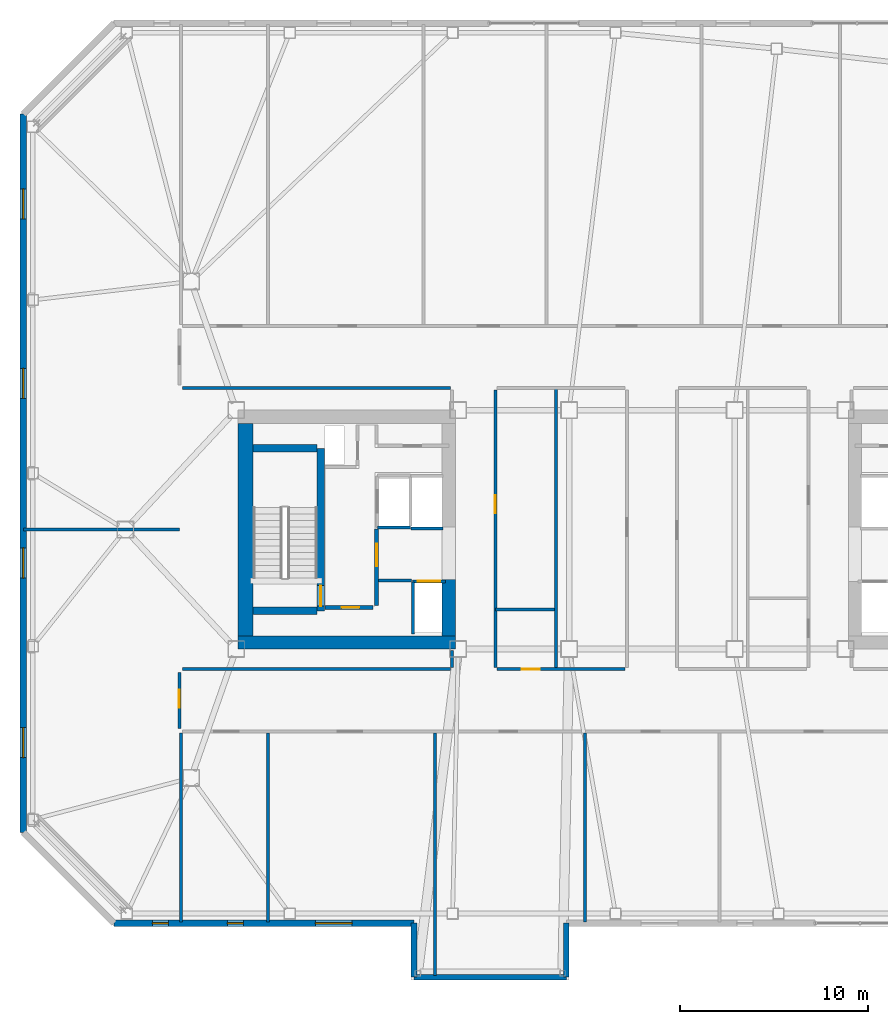
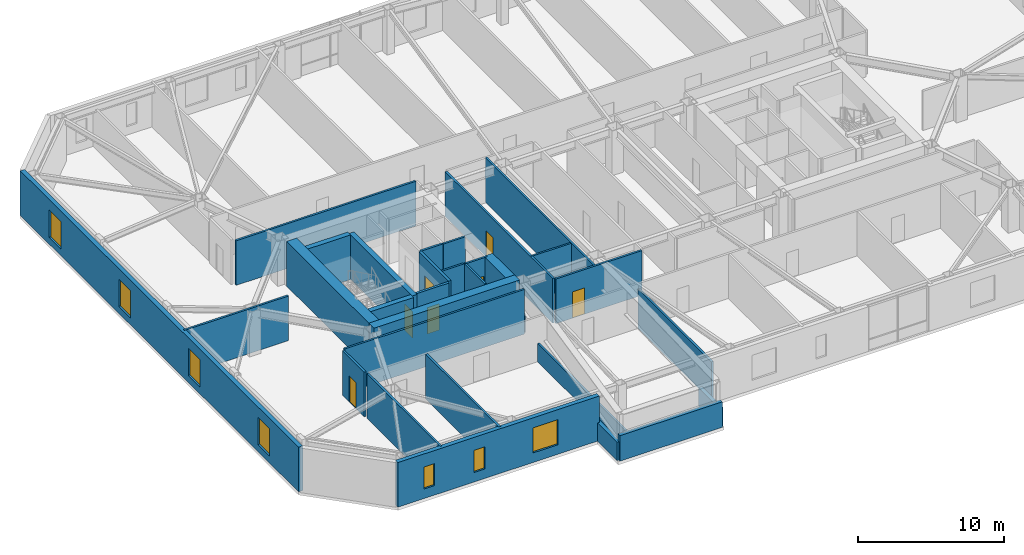
# One storey, part 9 of 17: 31 walls, 7 doors, 7 windows, 14 openings.
"""IFC4 building model written with IfcOpenShell, lengths in metres."""

from ifc_helpers import new_model, si_unit, direction, frame, frame_2d, origin, place, context, subcontext, project, spatial, rectangle, extrude, material, layer, layer_set, type_object, element, fill, save


model = new_model("IFC4")

# Units and contexts
model_context = context("Model", 3, precision=1e-05, world=origin(), true_north=direction((0.0, 1.0)))
body_context = subcontext(model_context, "Body", "Model", "MODEL_VIEW")
ifc_project = project(units=[si_unit("LENGTHUNIT", "METRE"), si_unit("AREAUNIT", "SQUARE_METRE"), si_unit("VOLUMEUNIT", "CUBIC_METRE"), si_unit("PLANEANGLEUNIT", "RADIAN"), si_unit("MASSUNIT", "GRAM", prefix="KILO")], contexts=[model_context])

# Site, building, storey
site_placement = place(None, origin())
site = spatial("IfcSite", under=ifc_project, at=site_placement, CompositionType="ELEMENT")
building_placement = place(site_placement, origin())
building = spatial("IfcBuilding", under=site, at=building_placement, Name="Tavrogorsk Clinical Tower", CompositionType="ELEMENT")
storey_placement = place(building_placement, frame((0.0, 0.0, 160.199951171875)))
storey = spatial("IfcBuildingStorey", under=building, at=storey_placement, Name="L36", CompositionType="ELEMENT", Elevation=160.199951171875)

# Wall, opening, door
ifc_material_1 = material(Name="Concrete B60", Category="concrete")
ifc_layer_1 = layer(ifc_material_1, 0.199951171875)
ifc_layer_set_1 = layer_set([ifc_layer_1], Name="Concrete B60")
wall_type_1 = type_object("IfcWallType", Name="CoreFireWall_200", PredefinedType="SOLIDWALL", material=ifc_layer_set_1)
wall_1_placement = place(storey_placement, frame((-17.3798828125, -4.139892578125, 0.0), z_axis=(0.0, 0.0, 1.0), x_axis=(1.0, 0.0, 0.0)))
wall_1 = element("IfcWall", 1, at=wall_1_placement, inside=storey, type_object=wall_type_1, Name="L36 Core West South Core Room Fire Wall", PredefinedType="SOLIDWALL", context=body_context, shape_type="SweptSolid", body=[
    extrude(rectangle(XDim=2.554931640625, YDim=0.199951171875, at=frame_2d((1.27734375, 0.0))), origin(), (0.0, 0.0, 1.0), 3.739990234375),
])
opening_1_placement = place(wall_1_placement, frame((0.8798828125, 0.0, 0.0)))
opening_1 = element("IfcOpeningElement", 2, at=opening_1_placement, cuts=wall_1, Name="Opening ID-02", PredefinedType="OPENING", context=body_context, shape_type="SweptSolid", body=[
    extrude(rectangle(XDim=0.949951171875, YDim=2.199951171875, at=frame_2d((0.47509765625, 1.10009765625))), frame((0.0, 0.10986328125, 0.0), z_axis=(0.0, -1.0, 0.0), x_axis=(1.0, 0.0, 0.0)), (0.0, 0.0, 1.0), 0.219970703125),
])
ifc_material_2 = material(Name="Laminated timber leaf on aluminium frame", Category="wood")
door_type_1 = type_object("IfcDoorType", Name="InteriorDoor_ID02_950", OperationType="NOTDEFINED", PredefinedType="DOOR", material=ifc_material_2)
door_1_placement = place(opening_1_placement, origin())
door_1 = element("IfcDoor", 3, at=door_1_placement, inside=storey, type_object=door_type_1, Name="L36 Core West South Core Room Door", OperationType="SINGLE_SWING_RIGHT", OverallHeight=2.199951171875, OverallWidth=0.949951171875, PredefinedType="DOOR", context=body_context, shape_type="SweptSolid", body=[
    extrude(rectangle(XDim=0.949951171875, YDim=2.199951171875, at=frame_2d((0.47509765625, 1.10009765625))), frame((0.0, 0.02490234375, 0.0), z_axis=(0.0, -1.0, 0.0), x_axis=(1.0, 0.0, 0.0)), (0.0, 0.0, 1.0), 0.050048828125),
])
fill(opening_1, door_1)

wall_2_placement = place(storey_placement, frame((-14.639892578125, -4.034912109375, 0.0), z_axis=(0.0, 0.0, 1.0), x_axis=(0.0, 1.0, 0.0)))
wall_2 = element("IfcWall", 4, at=wall_2_placement, inside=storey, type_object=wall_type_1, Name="L36 Core West Firefighting Lobby Fire Wall", PredefinedType="SOLIDWALL", context=body_context, shape_type="SweptSolid", body=[
    extrude(rectangle(XDim=4.074951171875, YDim=0.199951171875, at=frame_2d((2.03759765625, 0.0))), origin(), (0.0, 0.0, 1.0), 3.739990234375),
])
opening_2_placement = place(wall_2_placement, frame((2.090087890625, 0.0, 0.0)))
opening_2 = element("IfcOpeningElement", 5, at=opening_2_placement, cuts=wall_2, Name="Opening FD-01", PredefinedType="OPENING", context=body_context, shape_type="SweptSolid", body=[
    extrude(rectangle(XDim=1.199951171875, YDim=2.199951171875, at=frame_2d((0.60009765625, 1.10009765625))), frame((0.0, 0.10986328125, 0.0), z_axis=(0.0, -1.0, 0.0), x_axis=(1.0, 0.0, 0.0)), (0.0, 0.0, 1.0), 0.219970703125),
])
ifc_material_3 = material(Name="Galvanised steel fire-rated door assembly", Category="steel")
door_type_2 = type_object("IfcDoorType", Name="FireDoor_FD01_1200", OperationType="NOTDEFINED", PredefinedType="DOOR", material=ifc_material_3)
door_2_placement = place(opening_2_placement, origin())
door_2 = element("IfcDoor", 6, at=door_2_placement, inside=storey, type_object=door_type_2, Name="L36 Core West Firefighting Lobby Entry Door", OperationType="SINGLE_SWING_RIGHT", OverallHeight=2.199951171875, OverallWidth=1.199951171875, PredefinedType="DOOR", context=body_context, shape_type="SweptSolid", body=[
    extrude(rectangle(XDim=1.199951171875, YDim=2.199951171875, at=frame_2d((0.60009765625, 1.10009765625))), frame((0.0, 0.02490234375, 0.0), z_axis=(0.0, -1.0, 0.0), x_axis=(1.0, 0.0, 0.0)), (0.0, 0.0, 1.0), 0.050048828125),
])
fill(opening_2, door_2)

# Walls
ifc_material_4 = material(Name="Lightweight concrete blockwork B15", Category="masonry")
ifc_layer_2 = layer(ifc_material_4, 0.139892578125)
ifc_layer_set_2 = layer_set([ifc_layer_2], Name="Lightweight concrete blockwork B15")
wall_type_2 = type_object("IfcWallType", Name="PartitionWall_140", PredefinedType="PARTITIONING", material=ifc_layer_set_2)
wall_3_placement = place(storey_placement, frame((-5.10009765625, -7.4150390625, 0.0), z_axis=(0.0, 0.0, 1.0), x_axis=(0.0, 1.0, 0.0)))
element("IfcWall", 7, at=wall_3_placement, inside=storey, type_object=wall_type_2, Name="L36 Central Spine Partition 1", PredefinedType="PARTITIONING", context=body_context, shape_type="SweptSolid", body=[
    extrude(rectangle(XDim=14.929931640625, YDim=0.139892578125, at=frame_2d((7.46484375, 0.0))), origin(), (0.0, 0.0, 1.0), 3.739990234375),
])
wall_4_placement = place(storey_placement, frame((-8.31494140625, -4.25, 0.0), z_axis=(0.0, 0.0, 1.0), x_axis=(1.0, 0.0, 0.0)))
element("IfcWall", 8, at=wall_4_placement, inside=storey, type_object=wall_type_2, Name="L36 Central Spine Partition 3", PredefinedType="PARTITIONING", context=body_context, shape_type="SweptSolid", body=[
    extrude(rectangle(XDim=3.139892578125, YDim=0.139892578125, at=frame_2d((1.56982421875, 0.0))), origin(), (0.0, 0.0, 1.0), 3.739990234375),
])
ifc_material_5 = material(Name="Lightweight concrete blockwork B15", Category="masonry")
ifc_layer_3 = layer(ifc_material_5, 0.159912109375)
ifc_layer_set_3 = layer_set([ifc_layer_3], Name="Lightweight concrete blockwork B15")
wall_type_3 = type_object("IfcWallType", Name="PartitionWall_160", PredefinedType="PARTITIONING", material=ifc_layer_set_3)
wall_5_placement = place(storey_placement, frame((-14.534912109375, -2.699951171875, 0.0), z_axis=(0.0, 0.0, 1.0), x_axis=(1.0, 0.0, 0.0)))
element("IfcWall", 9, at=wall_5_placement, inside=storey, type_object=wall_type_3, Name="L36 Core West Freed Low-Bank North Partition", PredefinedType="PARTITIONING", context=body_context, shape_type="SweptSolid", body=[
    extrude(rectangle(XDim=1.760009765625, YDim=0.159912109375, at=frame_2d((0.8798828125, 0.0))), origin(), (0.0, 0.0, 1.0), 3.739990234375),
])

# Wall, opening, door
wall_6_placement = place(storey_placement, frame((-25.1298828125, -10.56494140625, 0.0), z_axis=(0.0, 0.0, 1.0), x_axis=(0.0, 1.0, 0.0)))
wall_6 = element("IfcWall", 10, at=wall_6_placement, inside=storey, type_object=wall_type_3, Name="L36 Corridor Partition 01", PredefinedType="PARTITIONING", context=body_context, shape_type="SweptSolid", body=[
    extrude(rectangle(XDim=2.97998046875, YDim=0.159912109375, at=frame_2d((1.489990234375, 0.0))), origin(), (0.0, 0.0, 1.0), 3.739990234375),
])
opening_3_placement = place(wall_6_placement, frame((1.10009765625, 0.0, 0.0)))
opening_3 = element("IfcOpeningElement", 11, at=opening_3_placement, cuts=wall_6, Name="Opening ID-02", PredefinedType="OPENING", context=body_context, shape_type="SweptSolid", body=[
    extrude(rectangle(XDim=0.949951171875, YDim=2.199951171875, at=frame_2d((0.47509765625, 1.10009765625))), frame((0.0, 0.08984375, 0.0), z_axis=(0.0, -1.0, 0.0), x_axis=(1.0, 0.0, 0.0)), (0.0, 0.0, 1.0), 0.179931640625),
])
door_3_placement = place(opening_3_placement, origin())
door_3 = element("IfcDoor", 12, at=door_3_placement, inside=storey, type_object=door_type_1, Name="L36 W Solarium Day Room & Lounge 1 Door", OperationType="SINGLE_SWING_RIGHT", OverallHeight=2.199951171875, OverallWidth=0.949951171875, PredefinedType="DOOR", context=body_context, shape_type="SweptSolid", body=[
    extrude(rectangle(XDim=0.949951171875, YDim=2.199951171875, at=frame_2d((0.47509765625, 1.10009765625))), frame((0.0, 0.02490234375, 0.0), z_axis=(0.0, -1.0, 0.0), x_axis=(1.0, 0.0, 0.0)), (0.0, 0.0, 1.0), 0.050048828125),
])
fill(opening_3, door_3)

# Walls
wall_7_placement = place(storey_placement, frame((-24.965087890625, -7.419921875, 0.0), z_axis=(0.0, 0.0, 1.0), x_axis=(1.0, 0.0, 0.0)))
element("IfcWall", 13, at=wall_7_placement, inside=storey, type_object=wall_type_3, Name="L36 Corridor Partition 02", PredefinedType="PARTITIONING", context=body_context, shape_type="SweptSolid", body=[
    extrude(rectangle(XDim=14.25, YDim=0.159912109375, at=frame_2d((7.125, 0.0))), origin(), (0.0, 0.0, 1.0), 3.739990234375),
])
wall_8_placement = place(storey_placement, frame((-10.6298828125, -7.3349609375, 0.0), z_axis=(0.0, 0.0, 1.0), x_axis=(0.0, 1.0, 0.0)))
element("IfcWall", 14, at=wall_8_placement, inside=storey, type_object=wall_type_3, Name="L36 Corridor Partition 03", PredefinedType="PARTITIONING", context=body_context, shape_type="SweptSolid", body=[
    extrude(rectangle(XDim=0.9150390625, YDim=0.159912109375, at=frame_2d((0.45751953125, 0.0))), origin(), (0.0, 0.0, 1.0), 1.53515625),
])
wall_9_placement = place(storey_placement, frame((-10.715087890625, 7.52001953125, 0.0), z_axis=(0.0, 0.0, 1.0), x_axis=(-1.0, 0.0, 0.0)))
element("IfcWall", 15, at=wall_9_placement, inside=storey, type_object=wall_type_3, Name="L36 Corridor Partition 05", PredefinedType="PARTITIONING", context=body_context, shape_type="SweptSolid", body=[
    extrude(rectangle(XDim=14.25, YDim=0.159912109375, at=frame_2d((7.125, 0.0))), origin(), (0.0, 0.0, 1.0), 3.739990234375),
])

# Wall, opening, door
wall_10_placement = place(storey_placement, frame((-8.320068359375, 7.43505859375, 0.0), z_axis=(0.0, 0.0, 1.0), x_axis=(0.0, -1.0, 0.0)))
wall_10 = element("IfcWall", 16, at=wall_10_placement, inside=storey, type_object=wall_type_3, Name="L36 Corridor Partition 21", PredefinedType="PARTITIONING", context=body_context, shape_type="SweptSolid", body=[
    extrude(rectangle(XDim=14.77001953125, YDim=0.159912109375, at=frame_2d((7.385009765625, 0.0))), origin(), (0.0, 0.0, 1.0), 3.739990234375),
])
opening_4_placement = place(wall_10_placement, frame((5.60400390625, 0.0, 0.0)))
opening_4 = element("IfcOpeningElement", 17, at=opening_4_placement, cuts=wall_10, Name="Opening ID-02", PredefinedType="OPENING", context=body_context, shape_type="SweptSolid", body=[
    extrude(rectangle(XDim=0.949951171875, YDim=2.199951171875, at=frame_2d((0.47509765625, 1.10009765625))), frame((0.0, 0.08984375, 0.0), z_axis=(0.0, -1.0, 0.0), x_axis=(1.0, 0.0, 0.0)), (0.0, 0.0, 1.0), 0.179931640625),
])
door_4_placement = place(opening_4_placement, origin())
door_4 = element("IfcDoor", 18, at=door_4_placement, inside=storey, type_object=door_type_1, Name="L36 Ward Nourishment Pantry Door", OperationType="SINGLE_SWING_LEFT", OverallHeight=2.199951171875, OverallWidth=0.949951171875, PredefinedType="DOOR", context=body_context, shape_type="SweptSolid", body=[
    extrude(rectangle(XDim=0.949951171875, YDim=2.199951171875, at=frame_2d((0.47509765625, 1.10009765625))), frame((0.0, 0.02490234375, 0.0), z_axis=(0.0, -1.0, 0.0), x_axis=(1.0, 0.0, 0.0)), (0.0, 0.0, 1.0), 0.050048828125),
])
fill(opening_4, door_4)

wall_11_placement = place(storey_placement, frame((-8.235107421875, -7.419921875, 0.0), z_axis=(0.0, 0.0, 1.0), x_axis=(1.0, 0.0, 0.0)))
wall_11 = element("IfcWall", 19, at=wall_11_placement, inside=storey, type_object=wall_type_3, Name="L36 Corridor Partition 22", PredefinedType="PARTITIONING", context=body_context, shape_type="SweptSolid", body=[
    extrude(rectangle(XDim=6.820068359375, YDim=0.159912109375, at=frame_2d((3.41015625, 0.0))), origin(), (0.0, 0.0, 1.0), 3.739990234375),
])
opening_5_placement = place(wall_11_placement, frame((1.3291015625, 0.0, 0.0)))
opening_5 = element("IfcOpeningElement", 20, at=opening_5_placement, cuts=wall_11, Name="Opening ID-02", PredefinedType="OPENING", context=body_context, shape_type="SweptSolid", body=[
    extrude(rectangle(XDim=0.949951171875, YDim=2.199951171875, at=frame_2d((0.47509765625, 1.10009765625))), frame((0.0, 0.08984375, 0.0), z_axis=(0.0, -1.0, 0.0), x_axis=(1.0, 0.0, 0.0)), (0.0, 0.0, 1.0), 0.179931640625),
])
door_5_placement = place(opening_5_placement, origin())
door_5 = element("IfcDoor", 21, at=door_5_placement, inside=storey, type_object=door_type_1, Name="L36 Accessible Patient Lavatory Door", OperationType="SINGLE_SWING_RIGHT", OverallHeight=2.199951171875, OverallWidth=0.949951171875, PredefinedType="DOOR", context=body_context, shape_type="SweptSolid", body=[
    extrude(rectangle(XDim=0.949951171875, YDim=2.199951171875, at=frame_2d((0.47509765625, 1.10009765625))), frame((0.0, 0.02490234375, 0.0), z_axis=(0.0, -1.0, 0.0), x_axis=(1.0, 0.0, 0.0)), (0.0, 0.0, 1.0), 0.050048828125),
])
fill(opening_5, door_5)

# Walls
for number, where, z_axis, x_axis, name in (
    (22, (-25.050048828125, -20.860107421875, 0.0), (0.0, 0.0, 1.0), (0.0, 1.0, 0.0), "L36 SW Wing Closure Partition"),
    (23, (-20.39990234375, -20.860107421875, 0.0), (0.0, 0.0, 1.0), (0.0, 1.0, 0.0), "L36 South Room Partition 1"),
):
    element("IfcWall", number, at=place(storey_placement, frame(where, z_axis=z_axis, x_axis=x_axis)), inside=storey, type_object=wall_type_3, Name=name, PredefinedType="PARTITIONING", context=body_context, shape_type="SweptSolid", body=[
        extrude(rectangle(XDim=10.045166015625, YDim=0.159912109375, at=frame_2d((5.0224609375, 0.0))), origin(), (0.0, 0.0, 1.0), 3.739990234375),
    ])
wall_12_placement = place(storey_placement, frame((-3.550048828125, -20.860107421875, 0.0), z_axis=(0.0, 0.0, 1.0), x_axis=(0.0, 1.0, 0.0)))
element("IfcWall", 24, at=wall_12_placement, inside=storey, type_object=wall_type_3, Name="L36 South Room Partition 2", PredefinedType="PARTITIONING", context=body_context, shape_type="SweptSolid", body=[
    extrude(rectangle(XDim=10.045166015625, YDim=0.159912109375, at=frame_2d((5.0224609375, 0.0))), origin(), (0.0, 0.0, 1.0), 3.28515625),
])
wall_13_placement = place(storey_placement, frame((-11.52490234375, -23.7099609375, 0.0), z_axis=(0.0, 0.0, 1.0), x_axis=(0.0, 1.0, 0.0)))
element("IfcWall", 25, at=wall_13_placement, inside=storey, type_object=wall_type_3, Name="L36 South Sub-Partition 2", PredefinedType="PARTITIONING", context=body_context, shape_type="SweptSolid", body=[
    extrude(rectangle(XDim=12.89501953125, YDim=0.159912109375, at=frame_2d((6.447509765625, 0.0))), origin(), (0.0, 0.0, 1.0), 1.53515625),
])
wall_14_placement = place(storey_placement, frame((-33.409912109375, 0.0, 0.0), z_axis=(0.0, 0.0, 1.0), x_axis=(1.0, 0.0, 0.0)))
element("IfcWall", 26, at=wall_14_placement, inside=storey, type_object=wall_type_3, Name="L36 W Wing Divider 1", PredefinedType="PARTITIONING", context=body_context, shape_type="SweptSolid", body=[
    extrude(rectangle(XDim=8.280029296875, YDim=0.159912109375, at=frame_2d((4.14013671875, 0.0))), origin(), (0.0, 0.0, 1.0), 3.739990234375),
])

# Wall, openings, windows
ifc_material_6 = material(Name="Precast concrete B45 with limestone cladding", Category="masonry")
ifc_layer_4 = layer(ifc_material_6, 0.340087890625)
ifc_layer_set_4 = layer_set([ifc_layer_4], Name="Precast concrete B45 with limestone cladding")
wall_type_4 = type_object("IfcWallType", Name="PrecastLimestoneWall_340", PredefinedType="STANDARD", material=ifc_layer_set_4)
wall_15_placement = place(storey_placement, frame((-28.60009765625, -20.929931640625, 0.0), z_axis=(0.0, 0.0, 1.0), x_axis=(1.0, 0.0, 0.0)))
wall_15 = element("IfcWall", 27, at=wall_15_placement, inside=storey, type_object=wall_type_4, Name="L36 S Limestone Facade Wall 1", PredefinedType="STANDARD", context=body_context, shape_type="SweptSolid", body=[
    extrude(rectangle(XDim=15.9501953125, YDim=0.340087890625, at=frame_2d((7.97509765625, 0.0))), origin(), (0.0, 0.0, 1.0), 3.739990234375),
])
opening_6_placement = place(wall_15_placement, frame((2.0439453125, 0.0, 0.800048828125)))
opening_6 = element("IfcOpeningElement", 28, at=opening_6_placement, cuts=wall_15, Name="Opening WN-06", PredefinedType="OPENING", context=body_context, shape_type="SweptSolid", body=[
    extrude(rectangle(XDim=0.85009765625, YDim=1.85009765625, at=frame_2d((0.425048828125, 0.925048828125))), frame((0.0, 0.179931640625, 0.0), z_axis=(0.0, -1.0, 0.0), x_axis=(1.0, 0.0, 0.0)), (0.0, 0.0, 1.0), 0.360107421875),
])
opening_7_placement = place(wall_15_placement, frame((6.02880859375, 0.0, 0.800048828125)))
opening_7 = element("IfcOpeningElement", 29, at=opening_7_placement, cuts=wall_15, Name="Opening WN-06", PredefinedType="OPENING", context=body_context, shape_type="SweptSolid", body=[
    extrude(rectangle(XDim=0.85009765625, YDim=1.85009765625, at=frame_2d((0.425048828125, 0.925048828125))), frame((0.0, 0.179931640625, 0.0), z_axis=(0.0, -1.0, 0.0), x_axis=(1.0, 0.0, 0.0)), (0.0, 0.0, 1.0), 0.360107421875),
])
opening_8_placement = place(wall_15_placement, frame((10.706787109375, 0.0, 0.800048828125)))
opening_8 = element("IfcOpeningElement", 30, at=opening_8_placement, cuts=wall_15, Name="Opening WN-13", PredefinedType="OPENING", context=body_context, shape_type="SweptSolid", body=[
    extrude(rectangle(XDim=1.949951171875, YDim=2.10009765625, at=frame_2d((0.97509765625, 1.050048828125))), frame((0.0, 0.179931640625, 0.0), z_axis=(0.0, -1.0, 0.0), x_axis=(1.0, 0.0, 0.0)), (0.0, 0.0, 1.0), 0.360107421875),
])
ifc_material_7 = material(Name="Thermally broken aluminium frame and triple IGU", Category="aluminium")
window_type_1 = type_object("IfcWindowType", Name="ExamRoomWin_1950x2100", PartitioningType="DOUBLE_PANEL_VERTICAL", PredefinedType="WINDOW", material=ifc_material_7)
window_1_placement = place(opening_8_placement, origin())
window_1 = element("IfcWindow", 31, at=window_1_placement, inside=storey, type_object=window_type_1, Name="L36 S Chicago Window 03", OverallHeight=2.10009765625, OverallWidth=1.949951171875, PartitioningType="SINGLE_PANEL", PredefinedType="WINDOW", context=body_context, shape_type="SweptSolid", body=[
    extrude(rectangle(XDim=1.949951171875, YDim=2.10009765625, at=frame_2d((0.97509765625, 1.050048828125))), frame((0.0, 0.030029296875, 0.0), z_axis=(0.0, -1.0, 0.0), x_axis=(1.0, 0.0, 0.0)), (0.0, 0.0, 1.0), 0.06005859375),
])
fill(opening_8, window_1)
ifc_material_8 = material(Name="Thermally broken aluminium frame and triple IGU", Category="aluminium")
window_type_2 = type_object("IfcWindowType", Name="MullionSubWin_850x1850", PartitioningType="SINGLE_PANEL", PredefinedType="WINDOW", material=ifc_material_8)
window_2_placement = place(opening_6_placement, origin())
window_2 = element("IfcWindow", 32, at=window_2_placement, inside=storey, type_object=window_type_2, Name="L36 S Mullion Split Window 01A", OverallHeight=1.85009765625, OverallWidth=0.85009765625, PartitioningType="SINGLE_PANEL", PredefinedType="WINDOW", context=body_context, shape_type="SweptSolid", body=[
    extrude(rectangle(XDim=0.85009765625, YDim=1.85009765625, at=frame_2d((0.425048828125, 0.925048828125))), frame((0.0, 0.030029296875, 0.0), z_axis=(0.0, -1.0, 0.0), x_axis=(1.0, 0.0, 0.0)), (0.0, 0.0, 1.0), 0.06005859375),
])
fill(opening_6, window_2)
window_3_placement = place(opening_7_placement, origin())
window_3 = element("IfcWindow", 33, at=window_3_placement, inside=storey, type_object=window_type_2, Name="L36 S Mullion Split Window 02A", OverallHeight=1.85009765625, OverallWidth=0.85009765625, PartitioningType="SINGLE_PANEL", PredefinedType="WINDOW", context=body_context, shape_type="SweptSolid", body=[
    extrude(rectangle(XDim=0.85009765625, YDim=1.85009765625, at=frame_2d((0.425048828125, 0.925048828125))), frame((0.0, 0.030029296875, 0.0), z_axis=(0.0, -1.0, 0.0), x_axis=(1.0, 0.0, 0.0)), (0.0, 0.0, 1.0), 0.06005859375),
])
fill(opening_7, window_3)

wall_16_placement = place(storey_placement, frame((-33.429931640625, 22.10009765625, 0.0), z_axis=(0.0, 0.0, 1.0), x_axis=(0.0, -1.0, 0.0)))
wall_16 = element("IfcWall", 34, at=wall_16_placement, inside=storey, type_object=wall_type_4, Name="L36 W Pleated Limestone Wing Wall", PredefinedType="STANDARD", context=body_context, shape_type="SweptSolid", body=[
    extrude(rectangle(XDim=38.2001953125, YDim=0.340087890625, at=frame_2d((19.10009765625, 0.0))), origin(), (0.0, 0.0, 1.0), 3.739990234375),
])
opening_9_placement = place(wall_16_placement, frame((3.97509765625, 0.0, 0.580078125)))
opening_9 = element("IfcOpeningElement", 35, at=opening_9_placement, cuts=wall_16, Name="Opening WN-07", PredefinedType="OPENING", context=body_context, shape_type="SweptSolid", body=[
    extrude(rectangle(XDim=1.60009765625, YDim=2.300048828125, at=frame_2d((0.800048828125, 1.14990234375))), frame((0.0, 0.179931640625, 0.0), z_axis=(0.0, -1.0, 0.0), x_axis=(1.0, 0.0, 0.0)), (0.0, 0.0, 1.0), 0.360107421875),
])
opening_10_placement = place(wall_16_placement, frame((13.52490234375, 0.0, 0.580078125)))
opening_10 = element("IfcOpeningElement", 36, at=opening_10_placement, cuts=wall_16, Name="Opening WN-07", PredefinedType="OPENING", context=body_context, shape_type="SweptSolid", body=[
    extrude(rectangle(XDim=1.60009765625, YDim=2.300048828125, at=frame_2d((0.800048828125, 1.14990234375))), frame((0.0, 0.179931640625, 0.0), z_axis=(0.0, -1.0, 0.0), x_axis=(1.0, 0.0, 0.0)), (0.0, 0.0, 1.0), 0.360107421875),
])
opening_11_placement = place(wall_16_placement, frame((23.074951171875, 0.0, 0.580078125)))
opening_11 = element("IfcOpeningElement", 37, at=opening_11_placement, cuts=wall_16, Name="Opening WN-07", PredefinedType="OPENING", context=body_context, shape_type="SweptSolid", body=[
    extrude(rectangle(XDim=1.60009765625, YDim=2.300048828125, at=frame_2d((0.800048828125, 1.14990234375))), frame((0.0, 0.179931640625, 0.0), z_axis=(0.0, -1.0, 0.0), x_axis=(1.0, 0.0, 0.0)), (0.0, 0.0, 1.0), 0.360107421875),
])
opening_12_placement = place(wall_16_placement, frame((32.625, 0.0, 0.580078125)))
opening_12 = element("IfcOpeningElement", 38, at=opening_12_placement, cuts=wall_16, Name="Opening WN-07", PredefinedType="OPENING", context=body_context, shape_type="SweptSolid", body=[
    extrude(rectangle(XDim=1.60009765625, YDim=2.300048828125, at=frame_2d((0.800048828125, 1.14990234375))), frame((0.0, 0.179931640625, 0.0), z_axis=(0.0, -1.0, 0.0), x_axis=(1.0, 0.0, 0.0)), (0.0, 0.0, 1.0), 0.360107421875),
])
ifc_material_9 = material(Name="Thermally broken aluminium frame and triple IGU", Category="aluminium")
window_type_3 = type_object("IfcWindowType", Name="PleatSlotWin_1600x2300", PartitioningType="SINGLE_PANEL", PredefinedType="WINDOW", material=ifc_material_9)
window_4_placement = place(opening_9_placement, origin())
window_4 = element("IfcWindow", 39, at=window_4_placement, inside=storey, type_object=window_type_3, Name="L36 W Pleat Slot Window 1", OverallHeight=2.300048828125, OverallWidth=1.60009765625, PartitioningType="SINGLE_PANEL", PredefinedType="WINDOW", context=body_context, shape_type="SweptSolid", body=[
    extrude(rectangle(XDim=1.60009765625, YDim=2.300048828125, at=frame_2d((0.800048828125, 1.14990234375))), frame((0.0, 0.030029296875, 0.0), z_axis=(0.0, -1.0, 0.0), x_axis=(1.0, 0.0, 0.0)), (0.0, 0.0, 1.0), 0.06005859375),
])
fill(opening_9, window_4)
window_5_placement = place(opening_10_placement, origin())
window_5 = element("IfcWindow", 40, at=window_5_placement, inside=storey, type_object=window_type_3, Name="L36 W Pleat Slot Window 2", OverallHeight=2.300048828125, OverallWidth=1.60009765625, PartitioningType="SINGLE_PANEL", PredefinedType="WINDOW", context=body_context, shape_type="SweptSolid", body=[
    extrude(rectangle(XDim=1.60009765625, YDim=2.300048828125, at=frame_2d((0.800048828125, 1.14990234375))), frame((0.0, 0.030029296875, 0.0), z_axis=(0.0, -1.0, 0.0), x_axis=(1.0, 0.0, 0.0)), (0.0, 0.0, 1.0), 0.06005859375),
])
fill(opening_10, window_5)
window_6_placement = place(opening_11_placement, origin())
window_6 = element("IfcWindow", 41, at=window_6_placement, inside=storey, type_object=window_type_3, Name="L36 W Pleat Slot Window 3", OverallHeight=2.300048828125, OverallWidth=1.60009765625, PartitioningType="SINGLE_PANEL", PredefinedType="WINDOW", context=body_context, shape_type="SweptSolid", body=[
    extrude(rectangle(XDim=1.60009765625, YDim=2.300048828125, at=frame_2d((0.800048828125, 1.14990234375))), frame((0.0, 0.030029296875, 0.0), z_axis=(0.0, -1.0, 0.0), x_axis=(1.0, 0.0, 0.0)), (0.0, 0.0, 1.0), 0.06005859375),
])
fill(opening_11, window_6)
window_7_placement = place(opening_12_placement, origin())
window_7 = element("IfcWindow", 42, at=window_7_placement, inside=storey, type_object=window_type_3, Name="L36 W Pleat Slot Window 4", OverallHeight=2.300048828125, OverallWidth=1.60009765625, PartitioningType="SINGLE_PANEL", PredefinedType="WINDOW", context=body_context, shape_type="SweptSolid", body=[
    extrude(rectangle(XDim=1.60009765625, YDim=2.300048828125, at=frame_2d((0.800048828125, 1.14990234375))), frame((0.0, 0.030029296875, 0.0), z_axis=(0.0, -1.0, 0.0), x_axis=(1.0, 0.0, 0.0)), (0.0, 0.0, 1.0), 0.06005859375),
])
fill(opening_12, window_7)

# Walls
wall_17_placement = place(storey_placement, frame((-12.64990234375, -23.800048828125, 0.0), z_axis=(0.0, 0.0, 1.0), x_axis=(1.0, 0.0, 0.0)))
element("IfcWall", 43, at=wall_17_placement, inside=storey, type_object=wall_type_4, Name="L36 Day-Room Limestone Front DRB-05", PredefinedType="STANDARD", context=body_context, shape_type="SweptSolid", body=[
    extrude(rectangle(XDim=8.099853515625, YDim=0.300048828125, at=frame_2d((4.0498046875, 0.0))), origin(), (0.0, 0.0, 1.0), 2.135009765625),
])
ifc_material_10 = material(Name="Lightweight concrete blockwork B25", Category="masonry")
ifc_layer_5 = layer(ifc_material_10, 0.159912109375)
ifc_layer_set_5 = layer_set([ifc_layer_5], Name="Lightweight concrete blockwork B25")
wall_type_5 = type_object("IfcWallType", Name="ShaftWall_160", PredefinedType="PARTITIONING", material=ifc_layer_set_5)
wall_18_placement = place(storey_placement, frame((-14.60009765625, 0.10009765625, 0.0), z_axis=(0.0, 0.0, 1.0), x_axis=(1.0, 0.0, 0.0)))
element("IfcWall", 44, at=wall_18_placement, inside=storey, type_object=wall_type_5, Name="L36 FFL-W Shaft South Wall", PredefinedType="PARTITIONING", context=body_context, shape_type="SweptSolid", body=[
    extrude(rectangle(XDim=1.760009765625, YDim=0.159912109375, at=frame_2d((0.8798828125, 0.0))), origin(), (0.0, 0.0, 1.0), 3.739990234375),
])

# Wall, opening, door
wall_19_placement = place(storey_placement, frame((-12.72998046875, -2.75, 0.0), z_axis=(0.0, 0.0, 1.0), x_axis=(1.0, 0.0, 0.0)))
wall_19 = element("IfcWall", 45, at=wall_19_placement, inside=storey, type_object=wall_type_5, Name="L36 LP-M1 Lift Shaft Portal Wall", PredefinedType="PARTITIONING", context=body_context, shape_type="SweptSolid", body=[
    extrude(rectangle(XDim=1.760009765625, YDim=0.159912109375, at=frame_2d((0.8798828125, 0.0))), origin(), (0.0, 0.0, 1.0), 3.739990234375),
])
opening_13_placement = place(wall_19_placement, frame((0.280029296875, 0.0, 0.0)))
opening_13 = element("IfcOpeningElement", 46, at=opening_13_placement, cuts=wall_19, Name="Opening LD", PredefinedType="OPENING", context=body_context, shape_type="SweptSolid", body=[
    extrude(rectangle(XDim=1.199951171875, YDim=2.199951171875, at=frame_2d((0.60009765625, 1.10009765625))), frame((0.0, 0.08984375, 0.0), z_axis=(0.0, -1.0, 0.0), x_axis=(1.0, 0.0, 0.0)), (0.0, 0.0, 1.0), 0.179931640625),
])
ifc_material_11 = material(Name="Brushed stainless steel AISI 304 sliding doors", Category="steel")
door_type_3 = type_object("IfcDoorType", Name="LiftLandingDoor_LD_1200", OperationType="SLIDING_TO_LEFT", PredefinedType="DOOR", material=ifc_material_11)
door_6_placement = place(opening_13_placement, origin())
door_6 = element("IfcDoor", 47, at=door_6_placement, inside=storey, type_object=door_type_3, Name="L36 LP-M1 Sliding Lift Landing Door", OperationType="SLIDING_TO_LEFT", OverallHeight=2.199951171875, OverallWidth=1.199951171875, PredefinedType="DOOR", context=body_context, shape_type="SweptSolid", body=[
    extrude(rectangle(XDim=1.199951171875, YDim=2.199951171875, at=frame_2d((0.60009765625, 1.10009765625))), frame((0.0, 0.02490234375, 0.0), z_axis=(0.0, -1.0, 0.0), x_axis=(1.0, 0.0, 0.0)), (0.0, 0.0, 1.0), 0.050048828125),
])
fill(opening_13, door_6)

# Walls
wall_20_placement = place(storey_placement, frame((-12.820068359375, 0.06005859375, 0.0), z_axis=(0.0, 0.0, 1.0), x_axis=(1.0, 0.0, 0.0)))
element("IfcWall", 48, at=wall_20_placement, inside=storey, type_object=wall_type_5, Name="L36 LP-H1 High-Zone Lift Portal Wall", PredefinedType="PARTITIONING", context=body_context, shape_type="SweptSolid", body=[
    extrude(rectangle(XDim=1.719970703125, YDim=0.159912109375, at=frame_2d((0.85986328125, 0.0))), origin(), (0.0, 0.0, 1.0), 3.739990234375),
])
wall_21_placement = place(storey_placement, frame((-12.68994140625, -5.56005859375, 0.0), z_axis=(0.0, 0.0, 1.0), x_axis=(0.0, 1.0, 0.0)))
element("IfcWall", 49, at=wall_21_placement, inside=storey, type_object=wall_type_5, Name="L36 Core West Freed Low-Bank Shaft Divider", PredefinedType="PARTITIONING", context=body_context, shape_type="SweptSolid", body=[
    extrude(rectangle(XDim=2.775146484375, YDim=0.159912109375, at=frame_2d((1.3876953125, 0.0))), origin(), (0.0, 0.0, 1.0), 3.739990234375),
])

# Wall, opening, door
ifc_material_12 = material(Name="Concrete B80", Category="concrete")
ifc_layer_6 = layer(ifc_material_12, 0.39990234375)
ifc_layer_set_6 = layer_set([ifc_layer_6], Name="Concrete B80")
wall_type_6 = type_object("IfcWallType", Name="ShearWall_400", PredefinedType="SHEAR", material=ifc_layer_set_6)
wall_22_placement = place(storey_placement, frame((-17.60009765625, -4.324951171875, 0.0), z_axis=(0.0, 0.0, 1.0), x_axis=(0.0, 1.0, 0.0)))
wall_22 = element("IfcWall", 50, at=wall_22_placement, inside=storey, type_object=wall_type_6, Name="L36 Core West Stair Shaft Inner Shear Wall", PredefinedType="SHEAR", context=body_context, shape_type="SweptSolid", body=[
    extrude(rectangle(XDim=8.64990234375, YDim=0.39990234375, at=frame_2d((4.324951171875, 0.0))), origin(), (0.0, 0.0, 1.0), 3.739990234375),
])
opening_14_placement = place(wall_22_placement, frame((0.25, 0.0, 0.0)))
opening_14 = element("IfcOpeningElement", 51, at=opening_14_placement, cuts=wall_22, Name="Opening SD-01", PredefinedType="OPENING", context=body_context, shape_type="SweptSolid", body=[
    extrude(rectangle(XDim=1.10009765625, YDim=2.199951171875, at=frame_2d((0.550048828125, 1.10009765625))), frame((0.0, 0.2099609375, 0.0), z_axis=(0.0, -1.0, 0.0), x_axis=(1.0, 0.0, 0.0)), (0.0, 0.0, 1.0), 0.419921875),
])
ifc_material_13 = material(Name="Galvanised steel smoke-tight fire door assembly", Category="steel")
door_type_4 = type_object("IfcDoorType", Name="StairFireDoor_SD01_1100", OperationType="NOTDEFINED", PredefinedType="DOOR", material=ifc_material_13)
door_7_placement = place(opening_14_placement, origin())
door_7 = element("IfcDoor", 52, at=door_7_placement, inside=storey, type_object=door_type_4, Name="L36 ST-W Exit Stair Door", OperationType="SINGLE_SWING_LEFT", OverallHeight=2.199951171875, OverallWidth=1.10009765625, PredefinedType="DOOR", context=body_context, shape_type="SweptSolid", body=[
    extrude(rectangle(XDim=1.10009765625, YDim=2.199951171875, at=frame_2d((0.550048828125, 1.10009765625))), frame((0.0, 0.02490234375, 0.0), z_axis=(0.0, -1.0, 0.0), x_axis=(1.0, 0.0, 0.0)), (0.0, 0.0, 1.0), 0.050048828125),
])
fill(opening_14, door_7)

# Walls
for number, where, z_axis, x_axis, name in (
    (53, (-21.199951171875, -4.324951171875, 0.0), (0.0, 0.0, 1.0), (1.0, 0.0, 0.0), "L36 Core West Stair Shaft South Shear Wall"),
    (54, (-21.199951171875, 4.324951171875, 0.0), (0.0, 0.0, 1.0), (1.0, 0.0, 0.0), "L36 Core West Stair Shaft North Shear Wall"),
):
    element("IfcWall", number, at=place(storey_placement, frame(where, z_axis=z_axis, x_axis=x_axis)), inside=storey, type_object=wall_type_6, Name=name, PredefinedType="SHEAR", context=body_context, shape_type="SweptSolid", body=[
        extrude(rectangle(XDim=3.39990234375, YDim=0.39990234375, at=frame_2d((1.699951171875, 0.0))), origin(), (0.0, 0.0, 1.0), 3.739990234375),
    ])
ifc_material_14 = material(Name="Concrete B80", Category="concrete")
ifc_layer_7 = layer(ifc_material_14, 0.699951171875)
ifc_layer_set_7 = layer_set([ifc_layer_7], Name="Concrete B80")
wall_type_7 = type_object("IfcWallType", Name="ShearWall_700", PredefinedType="SHEAR", material=ifc_layer_set_7)
wall_23_placement = place(storey_placement, frame((-22.0, -6.0, 0.0), z_axis=(0.0, 0.0, 1.0), x_axis=(1.0, 0.0, 0.0)))
element("IfcWall", 55, at=wall_23_placement, inside=storey, type_object=wall_type_7, Name="L36 Core West South Shear Wall", PredefinedType="SHEAR", context=body_context, shape_type="SweptSolid", body=[
    extrude(rectangle(XDim=11.550048828125, YDim=0.699951171875, at=frame_2d((5.77490234375, 0.0))), origin(), (0.0, 0.0, 1.0), 3.739990234375),
])
wall_24_placement = place(storey_placement, frame((-10.800048828125, -5.64990234375, 0.0), z_axis=(0.0, 0.0, 1.0), x_axis=(0.0, 1.0, 0.0)))
element("IfcWall", 56, at=wall_24_placement, inside=storey, type_object=wall_type_7, Name="L36 Core West Inner South Pier", PredefinedType="SHEAR", context=body_context, shape_type="SweptSolid", body=[
    extrude(rectangle(XDim=3.0, YDim=0.699951171875, at=frame_2d((1.5, 0.0))), origin(), (0.0, 0.0, 1.0), 3.739990234375),
])
ifc_material_15 = material(Name="Concrete B80", Category="concrete")
ifc_layer_8 = layer(ifc_material_15, 0.800048828125)
ifc_layer_set_8 = layer_set([ifc_layer_8], Name="Concrete B80")
wall_type_8 = type_object("IfcWallType", Name="ShearWall_800", PredefinedType="SHEAR", material=ifc_layer_set_8)
wall_25_placement = place(storey_placement, frame((-21.60009765625, -5.64990234375, 0.0), z_axis=(0.0, 0.0, 1.0), x_axis=(0.0, 1.0, 0.0)))
element("IfcWall", 57, at=wall_25_placement, inside=storey, type_object=wall_type_8, Name="L36 Core West End Shear Wall", PredefinedType="SHEAR", context=body_context, shape_type="SweptSolid", body=[
    extrude(rectangle(XDim=11.2998046875, YDim=0.800048828125, at=frame_2d((5.64990234375, 0.0))), origin(), (0.0, 0.0, 1.0), 3.739990234375),
])
ifc_material_16 = material(Name="Precast concrete B45 with mineral wool", Category="concrete")
ifc_layer_9 = layer(ifc_material_16, 0.300048828125)
ifc_layer_set_9 = layer_set([ifc_layer_9], Name="Precast concrete B45 with mineral wool")
wall_type_9 = type_object("IfcWallType", Name="SpandrelBackWall_300", PredefinedType="STANDARD", material=ifc_layer_set_9)
for number, where, z_axis, x_axis, name in (
    (58, (-12.64990234375, -20.929931640625, 0.0), (0.0, 0.0, 1.0), (0.0, -1.0, 0.0), "L36 Day-Room Cheek Wall DRB-05-L"),
    (59, (-4.550048828125, -20.929931640625, 0.0), (0.0, 0.0, 1.0), (0.0, -1.0, 0.0), "L36 Day-Room Cheek Wall DRB-05-R"),
):
    element("IfcWall", number, at=place(storey_placement, frame(where, z_axis=z_axis, x_axis=x_axis)), inside=storey, type_object=wall_type_9, Name=name, PredefinedType="STANDARD", context=body_context, shape_type="SweptSolid", body=[
        extrude(rectangle(XDim=2.8701171875, YDim=0.300048828125, at=frame_2d((1.43505859375, 0.0))), origin(), (0.0, 0.0, 1.0), 1.53515625),
    ])

save(model, "model.ifc")
